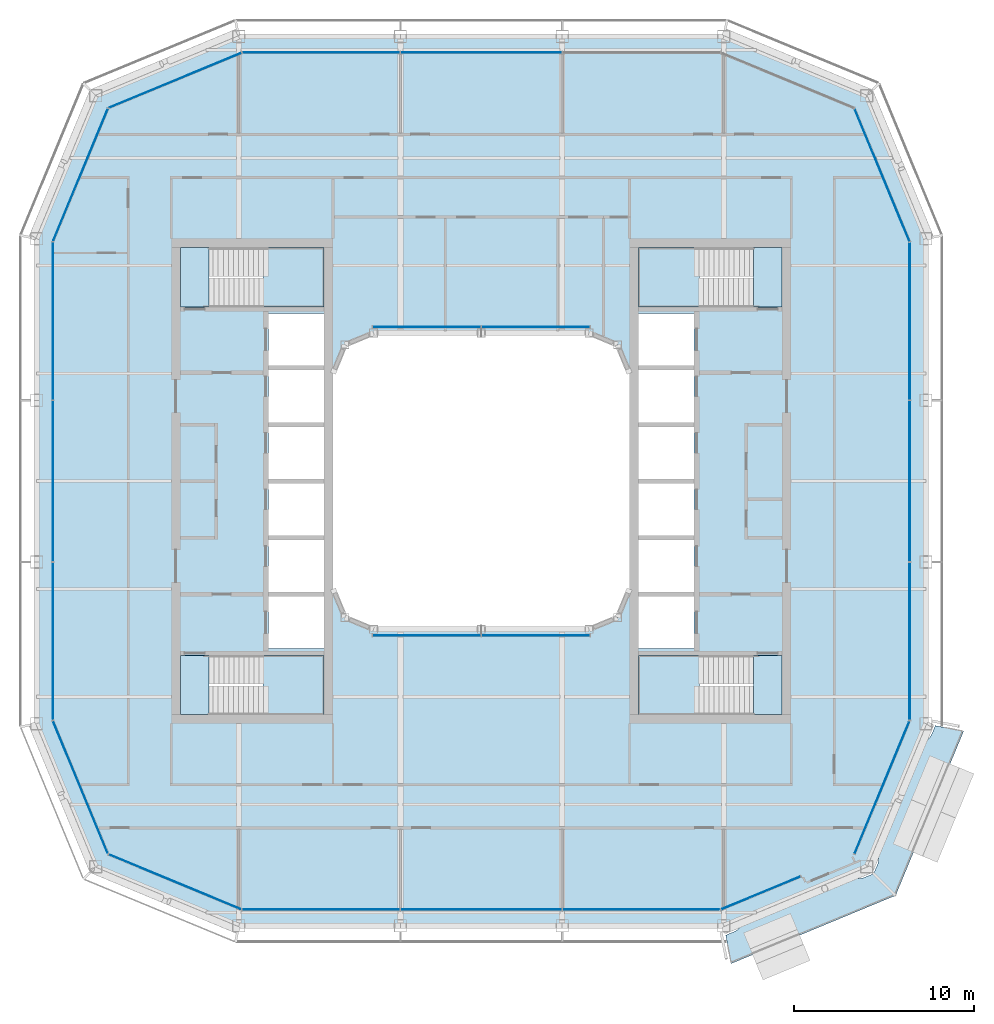
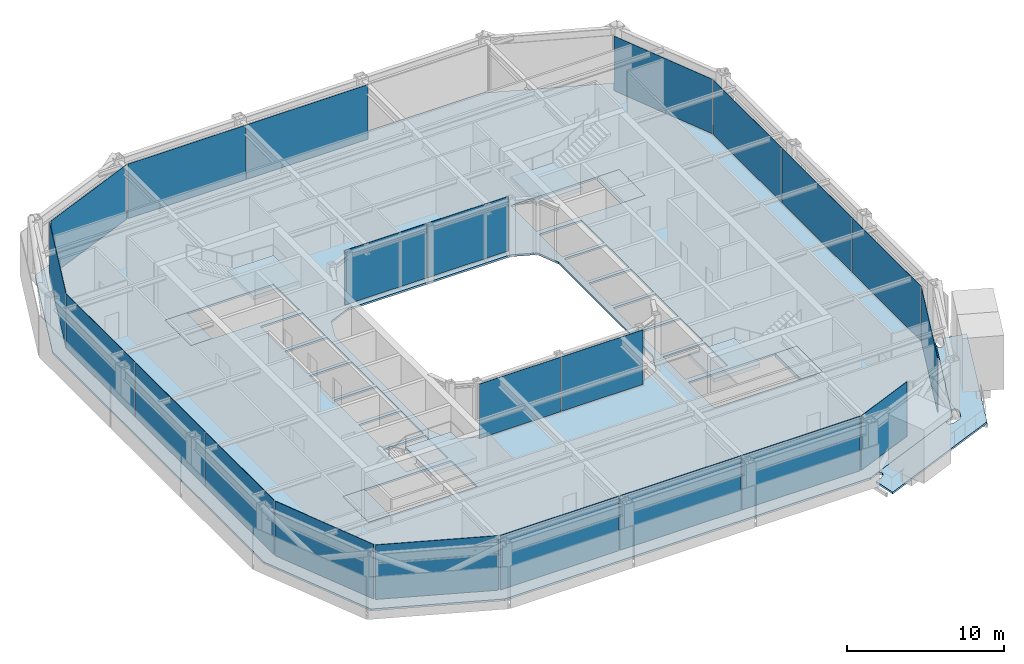
# One storey, part 10 of 21: 22 plates, 10 slabs, 17 elements without a shape of their own.
"""IFC4 building model written with IfcOpenShell, lengths in metres."""

from ifc_helpers import new_model, si_unit, direction, frame, origin, origin_2d, place, context, subcontext, project, spatial, polyline, rectangle, outline, extrude, material, layer, layer_set, type_object, element, aggregate, save


model = new_model("IFC4")

# Units and contexts
model_context = context("Model", 3, precision=1e-05, world=origin(), true_north=direction((0.0, 1.0)))
body_context = subcontext(model_context, "Body", "Model", "MODEL_VIEW")
ifc_project = project(units=[si_unit("LENGTHUNIT", "METRE"), si_unit("AREAUNIT", "SQUARE_METRE"), si_unit("VOLUMEUNIT", "CUBIC_METRE"), si_unit("PLANEANGLEUNIT", "RADIAN"), si_unit("MASSUNIT", "GRAM", prefix="KILO")], contexts=[model_context])

# Site, building, storey
site_placement = place(None, origin())
site = spatial("IfcSite", under=ifc_project, at=site_placement, CompositionType="ELEMENT")
building_placement = place(site_placement, origin())
building = spatial("IfcBuilding", under=site, at=building_placement, Name="Siwar Civic Tower", CompositionType="ELEMENT")
storey_placement = place(building_placement, frame((0.0, 0.0, 339.199951171875)))
storey = spatial("IfcBuildingStorey", under=building, at=storey_placement, Name="L73", CompositionType="ELEMENT", Elevation=339.199951171875)

# Stair, slabs
ifc_material_1 = material(Name="Concrete C40/50", Category="concrete")
stair_type = type_object("IfcStairType", Name="CORE-STAIR", PredefinedType="TWO_STRAIGHT_RUN_STAIR", material=ifc_material_1)
stair_1_placement = place(storey_placement, origin())
stair_1 = element("IfcStair", 1, at=stair_1_placement, inside=storey, type_object=stair_type, Name="Exit stair ST1", PredefinedType="TWO_STRAIGHT_RUN_STAIR")
ifc_material_2 = material(Name="Concrete C40/50", Category="concrete")
ifc_layer_1 = layer(ifc_material_2, 0.300048828125)
ifc_layer_set_1 = layer_set([ifc_layer_1], Name="Concrete C40/50")
slab_type_1 = type_object("IfcSlabType", Name="CORE-STAIR-LANDING", PredefinedType="LANDING", material=ifc_layer_set_1)
slab_1_placement = place(storey_placement, frame((0.0, 0.0, -0.300048828125)))
slab_1 = element("IfcSlab", 2, at=slab_1_placement, type_object=slab_type_1, Name="ST1 landing 1", PredefinedType="LANDING", context=body_context, shape_type="SweptSolid", body=[
    extrude(outline(polyline([(-15.14990234375, 13.0), (-16.75, 13.0), (-16.75, 9.699951171875), (-15.14990234375, 9.699951171875), (-15.14990234375, 13.0)])), origin(), (0.0, 0.0, 1.0), 0.300048828125),
])
slab_2_placement = place(storey_placement, frame((0.0, 0.0, 1.949951171875)))
slab_2 = element("IfcSlab", 3, at=slab_2_placement, type_object=slab_type_1, Name="ST1 landing 2", PredefinedType="LANDING", context=body_context, shape_type="SweptSolid", body=[
    extrude(outline(polyline([(-8.75, 13.0), (-12.139892578125, 13.0), (-12.139892578125, 9.699951171875), (-8.75, 9.699951171875), (-8.75, 13.0)])), origin(), (0.0, 0.0, 1.0), 0.300048828125),
])
aggregate(stair_1, [slab_1, slab_2])

stair_2_placement = place(storey_placement, origin())
stair_2 = element("IfcStair", 4, at=stair_2_placement, inside=storey, type_object=stair_type, Name="Exit stair ST2", PredefinedType="TWO_STRAIGHT_RUN_STAIR")
slab_3_placement = place(storey_placement, frame((0.0, 0.0, -0.300048828125)))
slab_3 = element("IfcSlab", 5, at=slab_3_placement, type_object=slab_type_1, Name="ST2 landing 1", PredefinedType="LANDING", context=body_context, shape_type="SweptSolid", body=[
    extrude(outline(polyline([(-15.14990234375, -9.699951171875), (-16.75, -9.699951171875), (-16.75, -13.0), (-15.14990234375, -13.0), (-15.14990234375, -9.699951171875)])), origin(), (0.0, 0.0, 1.0), 0.300048828125),
])
slab_4_placement = place(storey_placement, frame((0.0, 0.0, 1.949951171875)))
slab_4 = element("IfcSlab", 6, at=slab_4_placement, type_object=slab_type_1, Name="ST2 landing 2", PredefinedType="LANDING", context=body_context, shape_type="SweptSolid", body=[
    extrude(outline(polyline([(-8.75, -9.699951171875), (-12.139892578125, -9.699951171875), (-12.139892578125, -13.0), (-8.75, -13.0), (-8.75, -9.699951171875)])), origin(), (0.0, 0.0, 1.0), 0.300048828125),
])
aggregate(stair_2, [slab_3, slab_4])

stair_3_placement = place(storey_placement, origin())
stair_3 = element("IfcStair", 7, at=stair_3_placement, inside=storey, type_object=stair_type, Name="Exit stair ST3", PredefinedType="TWO_STRAIGHT_RUN_STAIR")
slab_5_placement = place(storey_placement, frame((0.0, 0.0, -0.300048828125)))
slab_5 = element("IfcSlab", 8, at=slab_5_placement, type_object=slab_type_1, Name="ST3 landing 1", PredefinedType="LANDING", context=body_context, shape_type="SweptSolid", body=[
    extrude(outline(polyline([(15.14990234375, 9.699951171875), (16.75, 9.699951171875), (16.75, 13.0), (15.14990234375, 13.0), (15.14990234375, 9.699951171875)])), origin(), (0.0, 0.0, 1.0), 0.300048828125),
])
slab_6_placement = place(storey_placement, frame((0.0, 0.0, 1.949951171875)))
slab_6 = element("IfcSlab", 9, at=slab_6_placement, type_object=slab_type_1, Name="ST3 landing 2", PredefinedType="LANDING", context=body_context, shape_type="SweptSolid", body=[
    extrude(outline(polyline([(8.75, 9.699951171875), (12.139892578125, 9.699951171875), (12.139892578125, 13.0), (8.75, 13.0), (8.75, 9.699951171875)])), origin(), (0.0, 0.0, 1.0), 0.300048828125),
])
aggregate(stair_3, [slab_5, slab_6])

stair_4_placement = place(storey_placement, origin())
stair_4 = element("IfcStair", 10, at=stair_4_placement, inside=storey, type_object=stair_type, Name="Exit stair ST4", PredefinedType="TWO_STRAIGHT_RUN_STAIR")
slab_7_placement = place(storey_placement, frame((0.0, 0.0, -0.300048828125)))
slab_7 = element("IfcSlab", 11, at=slab_7_placement, type_object=slab_type_1, Name="ST4 landing 1", PredefinedType="LANDING", context=body_context, shape_type="SweptSolid", body=[
    extrude(outline(polyline([(15.14990234375, -13.0), (16.75, -13.0), (16.75, -9.699951171875), (15.14990234375, -9.699951171875), (15.14990234375, -13.0)])), origin(), (0.0, 0.0, 1.0), 0.300048828125),
])
slab_8_placement = place(storey_placement, frame((0.0, 0.0, 1.949951171875)))
slab_8 = element("IfcSlab", 12, at=slab_8_placement, type_object=slab_type_1, Name="ST4 landing 2", PredefinedType="LANDING", context=body_context, shape_type="SweptSolid", body=[
    extrude(outline(polyline([(8.75, -13.0), (12.139892578125, -13.0), (12.139892578125, -9.699951171875), (8.75, -9.699951171875), (8.75, -13.0)])), origin(), (0.0, 0.0, 1.0), 0.300048828125),
])
aggregate(stair_4, [slab_7, slab_8])

# Slab
ifc_material_3 = material(Name="Concrete C40/50", Category="concrete")
ifc_layer_2 = layer(ifc_material_3, 0.14990234375)
ifc_layer_set_2 = layer_set([ifc_layer_2], Name="Concrete C40/50")
slab_type_2 = type_object("IfcSlabType", Name="ENV-BALCONY DECK 150", PredefinedType="FLOOR", material=ifc_layer_set_2)
slab_9_placement = place(storey_placement, frame((0.0, 0.0, -0.1494140625)))
element("IfcSlab", 13, at=slab_9_placement, inside=storey, type_object=slab_type_2, Name="Tree balcony deck SE", PredefinedType="FLOOR", context=body_context, shape_type="SweptSolid", body=[
    extrude(outline(polyline([(21.743896484375, -21.88623046875), (21.738525390625, -21.888671875), (21.738525390625, -21.888671875), (21.72216796875, -21.8955078125), (21.5908203125, -21.949951171875), (21.43505859375, -22.014892578125), (21.3857421875, -22.035400390625), (21.369384765625, -22.042236328125), (21.367431640625, -22.04296875), (21.306396484375, -22.06640625), (21.3017578125, -22.068115234375), (21.247802734375, -22.0849609375), (21.243408203125, -22.086181640625), (21.1884765625, -22.099853515625), (21.181396484375, -22.101318359375), (21.134033203125, -22.108154296875), (21.1328125, -22.1083984375), (21.07666015625, -22.11572265625), (21.070068359375, -22.1162109375), (21.0634765625, -22.1162109375), (20.975830078125, -22.112060546875), (20.965087890625, -22.11083984375), (20.92578125, -22.103271484375), (20.91796875, -22.101318359375), (20.910400390625, -22.0986328125), (20.8798828125, -22.08544921875), (20.875732421875, -22.08349609375), (20.84619140625, -22.068603515625), (20.839599609375, -22.06494140625), (20.833251953125, -22.060546875), (20.82763671875, -22.055419921875), (20.80712890625, -22.03564453125), (20.802490234375, -22.030517578125), (20.798095703125, -22.02490234375), (20.794189453125, -22.01904296875), (20.791015625, -22.0126953125), (20.780029296875, -21.988525390625), (20.7783203125, -21.984375), (20.76904296875, -21.959716796875), (20.7666015625, -21.952880859375), (20.76513671875, -21.946044921875), (20.76416015625, -21.93896484375), (20.763916015625, -21.931884765625), (20.764404296875, -21.903564453125), (20.764892578125, -21.89599609375), (20.76611328125, -21.888427734375), (20.76806640625, -21.881103515625), (20.778564453125, -21.849609375), (20.780029296875, -21.845458984375), (20.792236328125, -21.814453125), (20.795654296875, -21.80712890625), (20.7998046875, -21.800048828125), (20.822021484375, -21.766845703125), (20.82861328125, -21.758544921875), (20.887451171875, -21.693359375), (20.89208984375, -21.688720703125), (20.8935546875, -21.6875), (14.063720703125, -24.516357421875), (14.103759765625, -24.51123046875), (14.1103515625, -24.5107421875), (14.116943359375, -24.5107421875), (14.20458984375, -24.514892578125), (14.21533203125, -24.51611328125), (14.254638671875, -24.523681640625), (14.262451171875, -24.525634765625), (14.27001953125, -24.5283203125), (14.300537109375, -24.54150390625), (14.3046875, -24.54345703125), (14.33447265625, -24.558349609375), (14.341064453125, -24.56201171875), (14.34716796875, -24.56640625), (14.352783203125, -24.571533203125), (14.373291015625, -24.591064453125), (14.378173828125, -24.596435546875), (14.382568359375, -24.601806640625), (14.38623046875, -24.60791015625), (14.389404296875, -24.6142578125), (14.400390625, -24.638427734375), (14.402099609375, -24.642578125), (14.41162109375, -24.667236328125), (14.413818359375, -24.674072265625), (14.415283203125, -24.680908203125), (14.416259765625, -24.68798828125), (14.41650390625, -24.695068359375), (14.416015625, -24.723388671875), (14.41552734375, -24.73095703125), (14.414306640625, -24.738525390625), (14.412353515625, -24.745849609375), (14.402099609375, -24.77734375), (14.400634765625, -24.781494140625), (14.388427734375, -24.8125), (14.385009765625, -24.81982421875), (14.380859375, -24.82666015625), (14.3583984375, -24.860107421875), (14.351806640625, -24.868408203125), (14.29296875, -24.93359375), (14.288330078125, -24.938232421875), (14.283203125, -24.942626953125), (14.238525390625, -24.977294921875), (14.237548828125, -24.97802734375), (14.19921875, -25.006591796875), (14.193115234375, -25.0107421875), (14.144775390625, -25.0400390625), (14.140869140625, -25.042236328125), (14.0908203125, -25.068603515625), (14.08642578125, -25.07080078125), (14.02685546875, -25.09765625), (14.02490234375, -25.098388671875), (14.0166015625, -25.101806640625), (13.9755859375, -25.118896484375), (13.795166015625, -25.194091796875), (13.713134765625, -25.22802734375), (13.68017578125, -25.24169921875), (13.65576171875, -25.251953125), (13.65576171875, -25.251953125), (13.65576171875, -25.251953125), (13.65576171875, -25.251953125), (13.65576171875, -25.251953125), (13.64794921875, -25.2548828125), (13.632568359375, -25.25927734375), (13.625, -25.260986328125), (13.616943359375, -25.26220703125), (13.60205078125, -25.26318359375), (13.917724609375, -26.85009765625), (23.062255859375, -23.062255859375), (26.85009765625, -13.917724609375), (25.2607421875, -13.6015625), (25.2607421875, -13.61376953125), (25.2607421875, -13.620361328125), (25.259765625, -13.627197265625), (25.258544921875, -13.6337890625), (25.25537109375, -13.6455078125), (25.251953125, -13.65576171875), (25.24169921875, -13.68017578125), (25.22802734375, -13.713134765625), (25.194091796875, -13.795166015625), (25.118896484375, -13.9755859375), (25.101806640625, -14.0166015625), (25.098388671875, -14.02490234375), (25.09765625, -14.02685546875), (25.07080078125, -14.08642578125), (25.068603515625, -14.0908203125), (25.042236328125, -14.140869140625), (25.0400390625, -14.144775390625), (25.0107421875, -14.193115234375), (25.006591796875, -14.19921875), (24.97802734375, -14.237548828125), (24.977294921875, -14.238525390625), (24.942626953125, -14.283203125), (24.938232421875, -14.288330078125), (24.93359375, -14.29296875), (24.868408203125, -14.351806640625), (24.860107421875, -14.3583984375), (24.82666015625, -14.380859375), (24.81982421875, -14.385009765625), (24.8125, -14.388427734375), (24.781494140625, -14.400634765625), (24.77734375, -14.402099609375), (24.745849609375, -14.412353515625), (24.738525390625, -14.414306640625), (24.73095703125, -14.41552734375), (24.723388671875, -14.416015625), (24.695068359375, -14.41650390625), (24.68798828125, -14.416259765625), (24.680908203125, -14.415283203125), (24.674072265625, -14.413818359375), (24.667236328125, -14.41162109375), (24.642578125, -14.402099609375), (24.638427734375, -14.400390625), (24.6142578125, -14.389404296875), (24.60791015625, -14.38623046875), (24.601806640625, -14.382568359375), (24.596435546875, -14.378173828125), (24.591064453125, -14.373291015625), (24.571533203125, -14.352783203125), (24.56640625, -14.34716796875), (24.56201171875, -14.341064453125), (24.558349609375, -14.33447265625), (24.54345703125, -14.3046875), (24.54150390625, -14.300537109375), (24.5283203125, -14.27001953125), (24.525634765625, -14.262451171875), (24.523681640625, -14.254638671875), (24.51611328125, -14.21533203125), (24.514892578125, -14.20458984375), (24.5107421875, -14.116943359375), (24.5107421875, -14.1103515625), (24.51123046875, -14.103759765625), (24.516357421875, -14.063720703125), (21.6875, -20.8935546875), (21.688720703125, -20.89208984375), (21.693359375, -20.887451171875), (21.758544921875, -20.82861328125), (21.766845703125, -20.822021484375), (21.800048828125, -20.7998046875), (21.80712890625, -20.795654296875), (21.814453125, -20.792236328125), (21.845458984375, -20.780029296875), (21.849609375, -20.778564453125), (21.881103515625, -20.76806640625), (21.888427734375, -20.76611328125), (21.89599609375, -20.764892578125), (21.903564453125, -20.764404296875), (21.931884765625, -20.763916015625), (21.93896484375, -20.76416015625), (21.946044921875, -20.76513671875), (21.952880859375, -20.7666015625), (21.959716796875, -20.76904296875), (21.984375, -20.7783203125), (21.988525390625, -20.780029296875), (22.0126953125, -20.791015625), (22.01904296875, -20.794189453125), (22.02490234375, -20.798095703125), (22.030517578125, -20.802490234375), (22.03564453125, -20.80712890625), (22.055419921875, -20.82763671875), (22.060546875, -20.833251953125), (22.06494140625, -20.839599609375), (22.068603515625, -20.84619140625), (22.08349609375, -20.875732421875), (22.08544921875, -20.8798828125), (22.0986328125, -20.910400390625), (22.101318359375, -20.91796875), (22.103271484375, -20.92578125), (22.11083984375, -20.965087890625), (22.112060546875, -20.975830078125), (22.1162109375, -21.0634765625), (22.1162109375, -21.070068359375), (22.11572265625, -21.07666015625), (22.1083984375, -21.1328125), (22.108154296875, -21.134033203125), (22.101318359375, -21.181396484375), (22.099853515625, -21.1884765625), (22.086181640625, -21.243408203125), (22.0849609375, -21.247802734375), (22.068115234375, -21.3017578125), (22.06640625, -21.306396484375), (22.04296875, -21.367431640625), (22.042236328125, -21.369384765625), (22.035400390625, -21.3857421875), (22.014892578125, -21.43505859375), (21.949951171875, -21.5908203125), (21.922607421875, -21.656494140625), (21.8955078125, -21.72216796875), (21.888671875, -21.738525390625), (21.8837890625, -21.748046875), (21.87744140625, -21.7587890625), (21.873779296875, -21.76416015625), (21.86962890625, -21.76953125), (21.864990234375, -21.7744140625), (21.855712890625, -21.783447265625), (21.850341796875, -21.7880859375), (21.849609375, -21.78857421875), (21.84912109375, -21.7890625), (21.848876953125, -21.7890625), (21.8466796875, -21.794189453125), (21.84326171875, -21.800537109375), (21.839111328125, -21.806396484375), (21.82470703125, -21.8251953125), (21.817626953125, -21.833251953125), (21.801025390625, -21.849365234375), (21.796875, -21.85302734375), (21.79248046875, -21.856689453125), (21.77392578125, -21.869873046875), (21.76904296875, -21.873046875), (21.76416015625, -21.875732421875), (21.743896484375, -21.88623046875)])), origin(), (0.0, 0.0, 1.0), 0.1494140625),
])

# Curtain wall, plates
ifc_material_4 = material(Name="Aluminium and glass", Category="aluminium")
ifc_layer_3 = layer(ifc_material_4, 0.159912109375)
ifc_layer_set_3 = layer_set([ifc_layer_3], Name="Aluminium and glass")
curtain_wall_type_1 = type_object("IfcCurtainWallType", Name="ENV-CW-D", PredefinedType="NOTDEFINED", material=ifc_layer_set_3)
curtain_wall_1_placement = place(storey_placement, origin())
curtain_wall_1 = element("IfcCurtainWall", 14, at=curtain_wall_1_placement, inside=storey, type_object=curtain_wall_type_1, Name="Curtain wall D S", PredefinedType="NOTDEFINED")
ifc_material_5 = material(Name="Glass clear laminated", Category="glass")
ifc_layer_4 = layer(ifc_material_5, 0.030029296875)
ifc_layer_set_4 = layer_set([ifc_layer_4], Name="Glass clear laminated")
plate_type_1 = type_object("IfcPlateType", Name="ENV-PANEL-D", PredefinedType="CURTAIN_PANEL", material=ifc_layer_set_4)
plate_1_placement = place(storey_placement, frame((-8.910400390625, -23.85009765625, 0.10009765625), z_axis=(0.0, 0.0, 1.0), x_axis=(1.0, 0.0, 0.0)))
plate_1 = element("IfcPlate", 15, at=plate_1_placement, type_object=plate_type_1, Name="Curtain panel D S 1", PredefinedType="CURTAIN_PANEL", context=body_context, shape_type="SweptSolid", body=[
    extrude(rectangle(XDim=8.760986328125, YDim=0.030029296875, at=origin_2d()), origin(), (0.0, 0.0, 1.0), 4.25),
])
plate_2_placement = place(storey_placement, frame((0.0, -23.85009765625, 0.10009765625), z_axis=(0.0, 0.0, 1.0), x_axis=(1.0, 0.0, 0.0)))
plate_2 = element("IfcPlate", 16, at=plate_2_placement, type_object=plate_type_1, Name="Curtain panel D S 2", PredefinedType="CURTAIN_PANEL", context=body_context, shape_type="SweptSolid", body=[
    extrude(rectangle(XDim=8.93994140625, YDim=0.030029296875, at=origin_2d()), origin(), (0.0, 0.0, 1.0), 4.25),
])
plate_3_placement = place(storey_placement, frame((8.876708984375, -23.85009765625, 0.10009765625), z_axis=(0.0, 0.0, 1.0), x_axis=(1.0, 0.0, 0.0)))
plate_3 = element("IfcPlate", 17, at=plate_3_placement, type_object=plate_type_1, Name="Curtain panel D S 3", PredefinedType="CURTAIN_PANEL", context=body_context, shape_type="SweptSolid", body=[
    extrude(rectangle(XDim=8.693115234375, YDim=0.030029296875, at=origin_2d()), origin(), (0.0, 0.0, 1.0), 4.25),
])
aggregate(curtain_wall_1, [plate_1, plate_2, plate_3])

curtain_wall_2_placement = place(storey_placement, origin())
curtain_wall_2 = element("IfcCurtainWall", 18, at=curtain_wall_2_placement, inside=storey, type_object=curtain_wall_type_1, Name="Curtain wall D E", PredefinedType="NOTDEFINED")
plate_4_placement = place(storey_placement, frame((23.85009765625, -8.910400390625, 0.10009765625), z_axis=(0.0, 0.0, 1.0), x_axis=(0.0, 1.0, 0.0)))
plate_4 = element("IfcPlate", 19, at=plate_4_placement, type_object=plate_type_1, Name="Curtain panel D E 1", PredefinedType="CURTAIN_PANEL", context=body_context, shape_type="SweptSolid", body=[
    extrude(rectangle(XDim=8.760986328125, YDim=0.030029296875, at=origin_2d()), origin(), (0.0, 0.0, 1.0), 4.25),
])
plate_5_placement = place(storey_placement, frame((23.85009765625, 0.0, 0.10009765625), z_axis=(0.0, 0.0, 1.0), x_axis=(0.0, 1.0, 0.0)))
plate_5 = element("IfcPlate", 20, at=plate_5_placement, type_object=plate_type_1, Name="Curtain panel D E 2", PredefinedType="CURTAIN_PANEL", context=body_context, shape_type="SweptSolid", body=[
    extrude(rectangle(XDim=8.93994140625, YDim=0.030029296875, at=origin_2d()), origin(), (0.0, 0.0, 1.0), 4.25),
])
plate_6_placement = place(storey_placement, frame((23.85009765625, 8.876708984375, 0.10009765625), z_axis=(0.0, 0.0, 1.0), x_axis=(0.0, 1.0, 0.0)))
plate_6 = element("IfcPlate", 21, at=plate_6_placement, type_object=plate_type_1, Name="Curtain panel D E 3", PredefinedType="CURTAIN_PANEL", context=body_context, shape_type="SweptSolid", body=[
    extrude(rectangle(XDim=8.693115234375, YDim=0.030029296875, at=origin_2d()), origin(), (0.0, 0.0, 1.0), 4.25),
])
aggregate(curtain_wall_2, [plate_4, plate_5, plate_6])

curtain_wall_3_placement = place(storey_placement, origin())
curtain_wall_3 = element("IfcCurtainWall", 22, at=curtain_wall_3_placement, inside=storey, type_object=curtain_wall_type_1, Name="Curtain wall D N", PredefinedType="NOTDEFINED")
plate_7_placement = place(storey_placement, frame((0.0, 23.85009765625, 0.10009765625), z_axis=(0.0, 0.0, 1.0), x_axis=(-1.0, 0.0, 0.0)))
plate_7 = element("IfcPlate", 23, at=plate_7_placement, type_object=plate_type_1, Name="Curtain panel D N 2", PredefinedType="CURTAIN_PANEL", context=body_context, shape_type="SweptSolid", body=[
    extrude(rectangle(XDim=8.93994140625, YDim=0.030029296875, at=origin_2d()), origin(), (0.0, 0.0, 1.0), 4.25),
])
plate_8_placement = place(storey_placement, frame((-8.876708984375, 23.85009765625, 0.10009765625), z_axis=(0.0, 0.0, 1.0), x_axis=(-1.0, 0.0, 0.0)))
plate_8 = element("IfcPlate", 24, at=plate_8_placement, type_object=plate_type_1, Name="Curtain panel D N 3", PredefinedType="CURTAIN_PANEL", context=body_context, shape_type="SweptSolid", body=[
    extrude(rectangle(XDim=8.693115234375, YDim=0.030029296875, at=origin_2d()), origin(), (0.0, 0.0, 1.0), 4.25),
])
aggregate(curtain_wall_3, [plate_7, plate_8])

curtain_wall_4_placement = place(storey_placement, origin())
curtain_wall_4 = element("IfcCurtainWall", 25, at=curtain_wall_4_placement, inside=storey, type_object=curtain_wall_type_1, Name="Curtain wall D W", PredefinedType="NOTDEFINED")
plate_9_placement = place(storey_placement, frame((-23.85009765625, 8.910400390625, 0.10009765625), z_axis=(0.0, 0.0, 1.0), x_axis=(0.0, -1.0, 0.0)))
plate_9 = element("IfcPlate", 26, at=plate_9_placement, type_object=plate_type_1, Name="Curtain panel D W 1", PredefinedType="CURTAIN_PANEL", context=body_context, shape_type="SweptSolid", body=[
    extrude(rectangle(XDim=8.760986328125, YDim=0.030029296875, at=origin_2d()), origin(), (0.0, 0.0, 1.0), 4.25),
])
plate_10_placement = place(storey_placement, frame((-23.85009765625, 0.0, 0.10009765625), z_axis=(0.0, 0.0, 1.0), x_axis=(0.0, -1.0, 0.0)))
plate_10 = element("IfcPlate", 27, at=plate_10_placement, type_object=plate_type_1, Name="Curtain panel D W 2", PredefinedType="CURTAIN_PANEL", context=body_context, shape_type="SweptSolid", body=[
    extrude(rectangle(XDim=8.93994140625, YDim=0.030029296875, at=origin_2d()), origin(), (0.0, 0.0, 1.0), 4.25),
])
plate_11_placement = place(storey_placement, frame((-23.85009765625, -8.876708984375, 0.10009765625), z_axis=(0.0, 0.0, 1.0), x_axis=(0.0, -1.0, 0.0)))
plate_11 = element("IfcPlate", 28, at=plate_11_placement, type_object=plate_type_1, Name="Curtain panel D W 3", PredefinedType="CURTAIN_PANEL", context=body_context, shape_type="SweptSolid", body=[
    extrude(rectangle(XDim=8.693115234375, YDim=0.030029296875, at=origin_2d()), origin(), (0.0, 0.0, 1.0), 4.25),
])
aggregate(curtain_wall_4, [plate_9, plate_10, plate_11])

# Curtain wall, plate
ifc_material_6 = material(Name="Aluminium clad insulated panel", Category="aluminium")
ifc_layer_5 = layer(ifc_material_6, 0.159912109375)
ifc_layer_set_5 = layer_set([ifc_layer_5], Name="Aluminium clad insulated panel")
curtain_wall_type_2 = type_object("IfcCurtainWallType", Name="ENV-CW-DX", PredefinedType="NOTDEFINED", material=ifc_layer_set_5)
curtain_wall_5_placement = place(storey_placement, origin())
curtain_wall_5 = element("IfcCurtainWall", 29, at=curtain_wall_5_placement, inside=storey, type_object=curtain_wall_type_2, Name="Curtain wall D SE1", PredefinedType="NOTDEFINED")
ifc_material_7 = material(Name="Aluminium clad insulated panel", Category="aluminium")
ifc_layer_6 = layer(ifc_material_7, 0.030029296875)
ifc_layer_set_6 = layer_set([ifc_layer_6], Name="Aluminium clad insulated panel")
plate_type_2 = type_object("IfcPlateType", Name="ENV-PANEL-DX", PredefinedType="CURTAIN_PANEL", material=ifc_layer_set_6)
plate_12_placement = place(storey_placement, frame((15.56005859375, -22.922607421875, 0.10009765625), z_axis=(0.0, 0.0, 1.0), x_axis=(0.923879532511, 0.382683432365, 0.0)))
plate_12 = element("IfcPlate", 30, at=plate_12_placement, type_object=plate_type_2, Name="Curtain panel D SE1 1", PredefinedType="CURTAIN_PANEL", context=body_context, shape_type="SweptSolid", body=[
    extrude(rectangle(XDim=4.787109375, YDim=0.030029296875, at=origin_2d()), origin(), (0.0, 0.0, 1.0), 4.25),
])
aggregate(curtain_wall_5, [plate_12])

curtain_wall_6_placement = place(storey_placement, origin())
curtain_wall_6 = element("IfcCurtainWall", 31, at=curtain_wall_6_placement, inside=storey, type_object=curtain_wall_type_2, Name="Curtain wall D SE2", PredefinedType="NOTDEFINED")
plate_13_placement = place(storey_placement, frame((22.295166015625, -17.074951171875, 0.10009765625), z_axis=(0.0, 0.0, 1.0), x_axis=(0.382683432365, 0.923879532511, 0.0)))
plate_13 = element("IfcPlate", 32, at=plate_13_placement, type_object=plate_type_2, Name="Curtain panel D SE2 1", PredefinedType="CURTAIN_PANEL", context=body_context, shape_type="SweptSolid", body=[
    extrude(rectangle(XDim=7.9306640625, YDim=0.030029296875, at=origin_2d()), origin(), (0.0, 0.0, 1.0), 4.25),
])
aggregate(curtain_wall_6, [plate_13])

curtain_wall_7_placement = place(storey_placement, origin())
curtain_wall_7 = element("IfcCurtainWall", 33, at=curtain_wall_7_placement, inside=storey, type_object=curtain_wall_type_2, Name="Curtain wall D NE1", PredefinedType="NOTDEFINED")
plate_14_placement = place(storey_placement, frame((22.321044921875, 17.01220703125, 0.10009765625), z_axis=(0.0, 0.0, 1.0), x_axis=(-0.382683432365, 0.923879532511, 0.0)))
plate_14 = element("IfcPlate", 34, at=plate_14_placement, type_object=plate_type_2, Name="Curtain panel D NE1 1", PredefinedType="CURTAIN_PANEL", context=body_context, shape_type="SweptSolid", body=[
    extrude(rectangle(XDim=7.9306640625, YDim=0.030029296875, at=origin_2d()), origin(), (0.0, 0.0, 1.0), 4.25),
])
aggregate(curtain_wall_7, [plate_14])

curtain_wall_8_placement = place(storey_placement, origin())
curtain_wall_8 = element("IfcCurtainWall", 35, at=curtain_wall_8_placement, inside=storey, type_object=curtain_wall_type_2, Name="Curtain wall D NW1", PredefinedType="NOTDEFINED")
plate_15_placement = place(storey_placement, frame((-17.01220703125, 22.321044921875, 0.10009765625), z_axis=(0.0, 0.0, 1.0), x_axis=(-0.923879532511, -0.382683432365, 0.0)))
plate_15 = element("IfcPlate", 36, at=plate_15_placement, type_object=plate_type_2, Name="Curtain panel D NW1 1", PredefinedType="CURTAIN_PANEL", context=body_context, shape_type="SweptSolid", body=[
    extrude(rectangle(XDim=7.9306640625, YDim=0.030029296875, at=origin_2d()), origin(), (0.0, 0.0, 1.0), 4.25),
])
aggregate(curtain_wall_8, [plate_15])

curtain_wall_9_placement = place(storey_placement, origin())
curtain_wall_9 = element("IfcCurtainWall", 37, at=curtain_wall_9_placement, inside=storey, type_object=curtain_wall_type_2, Name="Curtain wall D NW2", PredefinedType="NOTDEFINED")
plate_16_placement = place(storey_placement, frame((-22.295166015625, 17.074951171875, 0.10009765625), z_axis=(0.0, 0.0, 1.0), x_axis=(-0.382683432365, -0.923879532511, 0.0)))
plate_16 = element("IfcPlate", 38, at=plate_16_placement, type_object=plate_type_2, Name="Curtain panel D NW2 1", PredefinedType="CURTAIN_PANEL", context=body_context, shape_type="SweptSolid", body=[
    extrude(rectangle(XDim=7.9306640625, YDim=0.030029296875, at=origin_2d()), origin(), (0.0, 0.0, 1.0), 4.25),
])
aggregate(curtain_wall_9, [plate_16])

curtain_wall_10_placement = place(storey_placement, origin())
curtain_wall_10 = element("IfcCurtainWall", 39, at=curtain_wall_10_placement, inside=storey, type_object=curtain_wall_type_2, Name="Curtain wall D SW1", PredefinedType="NOTDEFINED")
plate_17_placement = place(storey_placement, frame((-22.321044921875, -17.01220703125, 0.10009765625), z_axis=(0.0, 0.0, 1.0), x_axis=(0.382683432365, -0.923879532511, 0.0)))
plate_17 = element("IfcPlate", 40, at=plate_17_placement, type_object=plate_type_2, Name="Curtain panel D SW1 1", PredefinedType="CURTAIN_PANEL", context=body_context, shape_type="SweptSolid", body=[
    extrude(rectangle(XDim=7.9306640625, YDim=0.030029296875, at=origin_2d()), origin(), (0.0, 0.0, 1.0), 4.25),
])
aggregate(curtain_wall_10, [plate_17])

curtain_wall_11_placement = place(storey_placement, origin())
curtain_wall_11 = element("IfcCurtainWall", 41, at=curtain_wall_11_placement, inside=storey, type_object=curtain_wall_type_2, Name="Curtain wall D SW2", PredefinedType="NOTDEFINED")
plate_18_placement = place(storey_placement, frame((-17.074951171875, -22.295166015625, 0.10009765625), z_axis=(0.0, 0.0, 1.0), x_axis=(0.923879532511, -0.382683432365, 0.0)))
plate_18 = element("IfcPlate", 42, at=plate_18_placement, type_object=plate_type_2, Name="Curtain panel D SW2 1", PredefinedType="CURTAIN_PANEL", context=body_context, shape_type="SweptSolid", body=[
    extrude(rectangle(XDim=7.9306640625, YDim=0.030029296875, at=origin_2d()), origin(), (0.0, 0.0, 1.0), 4.25),
])
aggregate(curtain_wall_11, [plate_18])

# Curtain wall, plates
ifc_material_8 = material(Name="Aluminium and glass", Category="aluminium")
ifc_layer_7 = layer(ifc_material_8, 0.179931640625)
ifc_layer_set_7 = layer_set([ifc_layer_7], Name="Aluminium and glass")
curtain_wall_type_3 = type_object("IfcCurtainWallType", Name="ENV-CW-W", PredefinedType="NOTDEFINED", material=ifc_layer_set_7)
curtain_wall_12_placement = place(storey_placement, origin())
curtain_wall_12 = element("IfcCurtainWall", 43, at=curtain_wall_12_placement, inside=storey, type_object=curtain_wall_type_3, Name="Curtain wall W WS", PredefinedType="NOTDEFINED")
ifc_material_9 = material(Name="Glass clear laminated", Category="glass")
ifc_layer_8 = layer(ifc_material_9, 0.031982421875)
ifc_layer_set_8 = layer_set([ifc_layer_8], Name="Glass clear laminated")
plate_type_3 = type_object("IfcPlateType", Name="ENV-PANEL-W", PredefinedType="CURTAIN_PANEL", material=ifc_layer_set_8)
plate_19_placement = place(storey_placement, frame((-3.033203125, -8.5849609375, 0.10009765625), z_axis=(0.0, 0.0, 1.0), x_axis=(1.0, 0.0, 0.0)))
plate_19 = element("IfcPlate", 44, at=plate_19_placement, type_object=plate_type_3, Name="Curtain panel W WS 1", PredefinedType="CURTAIN_PANEL", context=body_context, shape_type="SweptSolid", body=[
    extrude(rectangle(XDim=6.006591796875, YDim=0.031982421875, at=origin_2d()), origin(), (0.0, 0.0, 1.0), 4.25),
])
plate_20_placement = place(storey_placement, frame((3.033203125, -8.5849609375, 0.10009765625), z_axis=(0.0, 0.0, 1.0), x_axis=(1.0, 0.0, 0.0)))
plate_20 = element("IfcPlate", 45, at=plate_20_placement, type_object=plate_type_3, Name="Curtain panel W WS 2", PredefinedType="CURTAIN_PANEL", context=body_context, shape_type="SweptSolid", body=[
    extrude(rectangle(XDim=6.006591796875, YDim=0.031982421875, at=origin_2d()), origin(), (0.0, 0.0, 1.0), 4.25),
])
aggregate(curtain_wall_12, [plate_19, plate_20])

curtain_wall_13_placement = place(storey_placement, origin())
curtain_wall_13 = element("IfcCurtainWall", 46, at=curtain_wall_13_placement, inside=storey, type_object=curtain_wall_type_3, Name="Curtain wall W WN", PredefinedType="NOTDEFINED")
plate_21_placement = place(storey_placement, frame((3.033203125, 8.5849609375, 0.10009765625), z_axis=(0.0, 0.0, 1.0), x_axis=(-1.0, 0.0, 0.0)))
plate_21 = element("IfcPlate", 47, at=plate_21_placement, type_object=plate_type_3, Name="Curtain panel W WN 1", PredefinedType="CURTAIN_PANEL", context=body_context, shape_type="SweptSolid", body=[
    extrude(rectangle(XDim=6.006591796875, YDim=0.031982421875, at=origin_2d()), origin(), (0.0, 0.0, 1.0), 4.25),
])
plate_22_placement = place(storey_placement, frame((-3.033203125, 8.5849609375, 0.10009765625), z_axis=(0.0, 0.0, 1.0), x_axis=(-1.0, 0.0, 0.0)))
plate_22 = element("IfcPlate", 48, at=plate_22_placement, type_object=plate_type_3, Name="Curtain panel W WN 2", PredefinedType="CURTAIN_PANEL", context=body_context, shape_type="SweptSolid", body=[
    extrude(rectangle(XDim=6.006591796875, YDim=0.031982421875, at=origin_2d()), origin(), (0.0, 0.0, 1.0), 4.25),
])
aggregate(curtain_wall_13, [plate_21, plate_22])

# Slab
ifc_material_10 = material(Name="Concrete C40/50", Category="concrete")
ifc_layer_9 = layer(ifc_material_10, 0.14990234375)
ifc_layer_set_9 = layer_set([ifc_layer_9], Name="Concrete C40/50")
slab_type_3 = type_object("IfcSlabType", Name="STR-FLOOR-DECK-150", PredefinedType="FLOOR", material=ifc_layer_set_9)
slab_10_placement = place(storey_placement, frame((0.0, 0.0, -0.14990234375)))
element("IfcSlab", 49, at=slab_10_placement, inside=storey, type_object=slab_type_3, Name="L73/slab/1", PredefinedType="FLOOR", context=body_context, shape_type="SweptSolid", body=[
    extrude(outline(polyline([(-13.5, -24.75), (13.5, -24.75), (21.454833984375, -21.454833984375), (24.75, -13.5), (24.75, 13.5), (21.454833984375, 21.454833984375), (13.5, 24.75), (-13.5, 24.75), (-21.454833984375, 21.454833984375), (-24.75, 13.5), (-24.75, -13.5), (-21.454833984375, -21.454833984375), (-13.5, -24.75)]), holes=[polyline([(16.75, 13.0), (16.75, 9.699951171875), (8.75, 9.699951171875), (8.75, 13.0), (16.75, 13.0)]), polyline([(8.75, -9.699951171875), (16.75, -9.699951171875), (16.75, -13.0), (8.75, -13.0), (8.75, -9.699951171875)]), polyline([(11.85009765625, 9.324951171875), (11.85009765625, 6.425048828125), (8.75, 6.425048828125), (8.75, 9.324951171875), (11.85009765625, 9.324951171875)]), polyline([(8.75, 6.175048828125), (11.85009765625, 6.175048828125), (11.85009765625, 3.27490234375), (8.75, 3.27490234375), (8.75, 6.175048828125)]), polyline([(8.75, 3.02490234375), (11.85009765625, 3.02490234375), (11.85009765625, 0.125), (8.75, 0.125), (8.75, 3.02490234375)]), polyline([(8.75, -0.125), (11.85009765625, -0.125), (11.85009765625, -3.02490234375), (8.75, -3.02490234375), (8.75, -0.125)]), polyline([(8.75, -3.27490234375), (11.85009765625, -3.27490234375), (11.85009765625, -6.175048828125), (8.75, -6.175048828125), (8.75, -3.27490234375)]), polyline([(8.75, -6.425048828125), (11.85009765625, -6.425048828125), (11.85009765625, -9.324951171875), (8.75, -9.324951171875), (8.75, -6.425048828125)]), polyline([(-6.0, 8.25), (6.0, 8.25), (7.591064453125, 7.591064453125), (8.25, 6.0), (8.25, -6.0), (7.591064453125, -7.591064453125), (6.0, -8.25), (-6.0, -8.25), (-7.591064453125, -7.591064453125), (-8.25, -6.0), (-8.25, 6.0), (-7.591064453125, 7.591064453125), (-6.0, 8.25)]), polyline([(-8.75, -13.0), (-16.75, -13.0), (-16.75, -9.699951171875), (-8.75, -9.699951171875), (-8.75, -13.0)]), polyline([(-8.75, 9.699951171875), (-16.75, 9.699951171875), (-16.75, 13.0), (-8.75, 13.0), (-8.75, 9.699951171875)]), polyline([(-8.75, 6.425048828125), (-11.85009765625, 6.425048828125), (-11.85009765625, 9.324951171875), (-8.75, 9.324951171875), (-8.75, 6.425048828125)]), polyline([(-8.75, 3.27490234375), (-11.85009765625, 3.27490234375), (-11.85009765625, 6.175048828125), (-8.75, 6.175048828125), (-8.75, 3.27490234375)]), polyline([(-8.75, 0.125), (-11.85009765625, 0.125), (-11.85009765625, 3.02490234375), (-8.75, 3.02490234375), (-8.75, 0.125)]), polyline([(-8.75, -3.02490234375), (-11.85009765625, -3.02490234375), (-11.85009765625, -0.125), (-8.75, -0.125), (-8.75, -3.02490234375)]), polyline([(-8.75, -6.175048828125), (-11.85009765625, -6.175048828125), (-11.85009765625, -3.27490234375), (-8.75, -3.27490234375), (-8.75, -6.175048828125)]), polyline([(-8.75, -9.324951171875), (-11.85009765625, -9.324951171875), (-11.85009765625, -6.425048828125), (-8.75, -6.425048828125), (-8.75, -9.324951171875)])]), origin(), (0.0, 0.0, 1.0), 0.14990234375),
])

save(model, "model.ifc")
